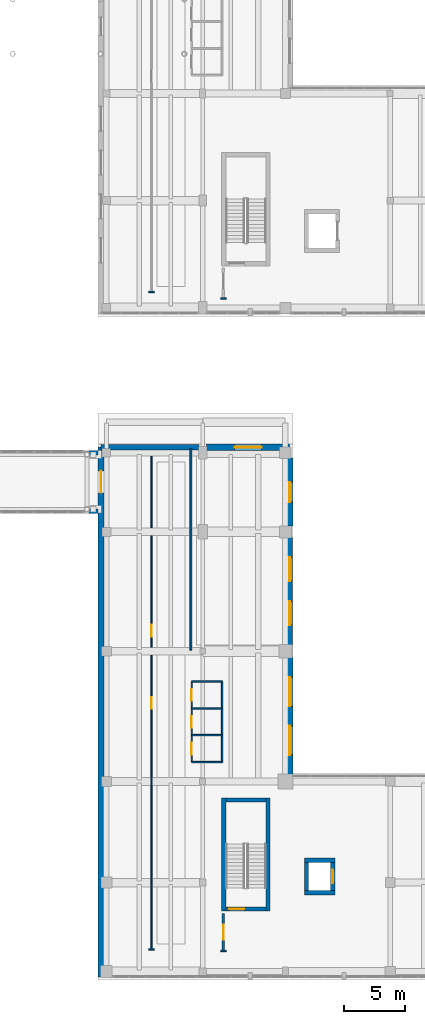
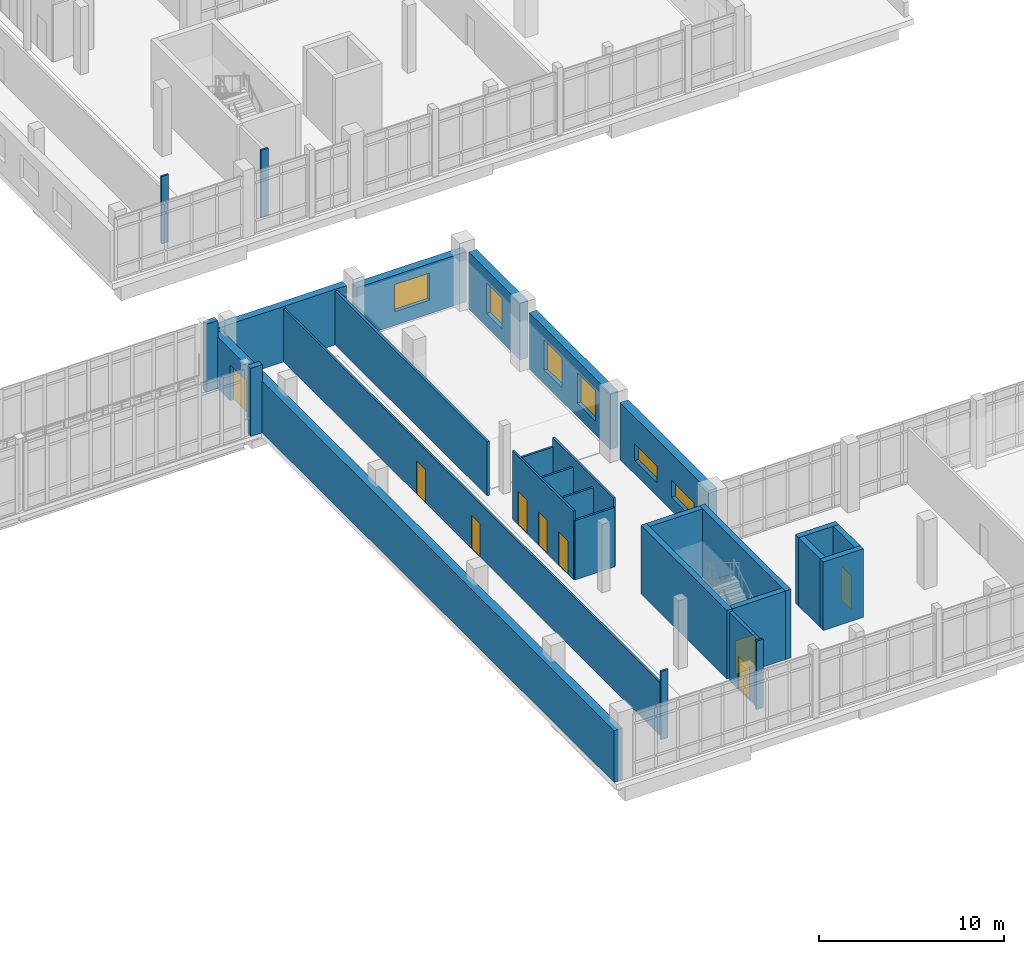
# One storey, part 65 of 89: 29 walls, 9 doors, 6 windows, 15 openings.
"""IFC4 building model written with IfcOpenShell, lengths in metres."""

from ifc_helpers import new_model, si_unit, direction, frame, frame_2d, origin, place, context, subcontext, project, spatial, rectangle, extrude, material, layer, layer_set, type_object, element, fill, save


model = new_model("IFC4")

# Units and contexts
model_context = context("Model", 3, precision=1e-05, world=origin(), true_north=direction((0.0, 1.0)))
body_context = subcontext(model_context, "Body", "Model", "MODEL_VIEW")
ifc_project = project(units=[si_unit("LENGTHUNIT", "METRE"), si_unit("AREAUNIT", "SQUARE_METRE"), si_unit("VOLUMEUNIT", "CUBIC_METRE"), si_unit("PLANEANGLEUNIT", "RADIAN"), si_unit("MASSUNIT", "GRAM", prefix="KILO")], contexts=[model_context])

# Site, building, storey
site_placement = place(None, origin())
site = spatial("IfcSite", under=ifc_project, at=site_placement, CompositionType="ELEMENT")
building_placement = place(site_placement, origin())
building = spatial("IfcBuilding", under=site, at=building_placement, Name="Soyqirgoq Riverine Aquarium", CompositionType="ELEMENT")
storey_placement = place(building_placement, frame((0.0, 0.0, 5.39990234375)))
storey = spatial("IfcBuildingStorey", under=building, at=storey_placement, Name="L02", CompositionType="ELEMENT", Elevation=5.39990234375)

# Walls
ifc_material_1 = material(Name="Insulated composite rainscreen panel", Category="steel")
ifc_layer_1 = layer(ifc_material_1, 0.360107421875)
ifc_layer_set_1 = layer_set([ifc_layer_1], Name="Insulated composite rainscreen panel")
wall_type_1 = type_object("IfcWallType", Name="BridgeSpandrelWall_360", PredefinedType="SOLIDWALL", material=ifc_layer_set_1)
for number, where, z_axis, x_axis, name in (
    (1, (113.280029296875, 40.0, 0.0), (0.0, 0.0, 1.0), (1.0, 0.0, 0.0), "BR-1 L02 Exterior Travertine Wall 0401"),
    (2, (113.280029296875, 44.800048828125, 0.0), (0.0, 0.0, 1.0), (1.0, 0.0, 0.0), "BR-1 L02 Exterior Travertine Wall 0403"),
):
    element("IfcWall", number, at=place(storey_placement, frame(where, z_axis=z_axis, x_axis=x_axis)), inside=storey, type_object=wall_type_1, Name=name, PredefinedType="SOLIDWALL", context=body_context, shape_type="SweptSolid", body=[
        extrude(rectangle(XDim=0.719970703125, YDim=0.360107421875, at=frame_2d((0.35986328125, 0.0))), origin(), (0.0, 0.0, 1.0), 4.5),
    ])
ifc_material_2 = material(Name="Concrete C40/50", Category="concrete")
ifc_layer_2 = layer(ifc_material_2, 0.35009765625)
ifc_layer_set_2 = layer_set([ifc_layer_2], Name="Concrete C40/50")
wall_type_2 = type_object("IfcWallType", Name="CoreShearWall_350_C40", PredefinedType="SHEAR", material=ifc_layer_set_2)
wall_1_placement = place(storey_placement, frame((127.97509765625, 7.14990234375, 0.0), z_axis=(0.0, 0.0, 1.0), x_axis=(0.0, 1.0, 0.0)))
element("IfcWall", 3, at=wall_1_placement, inside=storey, type_object=wall_type_2, Name="CORE-6 L02 Stair Core Shear Wall SIDE1", PredefinedType="SHEAR", context=body_context, shape_type="SweptSolid", body=[
    extrude(rectangle(XDim=9.300048828125, YDim=0.35009765625, at=frame_2d((4.64990234375, 0.0))), origin(), (0.0, 0.0, 1.0), 4.52001953125),
])
wall_2_placement = place(storey_placement, frame((127.800048828125, 16.27490234375, 0.0), z_axis=(0.0, 0.0, 1.0), x_axis=(-1.0, 0.0, 0.0)))
element("IfcWall", 4, at=wall_2_placement, inside=storey, type_object=wall_type_2, Name="CORE-6 L02 Stair Core Shear Wall BACK", PredefinedType="SHEAR", context=body_context, shape_type="SweptSolid", body=[
    extrude(rectangle(XDim=3.300048828125, YDim=0.35009765625, at=frame_2d((1.64990234375, 0.0))), origin(), (0.0, 0.0, 1.0), 4.52001953125),
])
wall_3_placement = place(storey_placement, frame((124.324951171875, 16.449951171875, 0.0), z_axis=(0.0, 0.0, 1.0), x_axis=(0.0, -1.0, 0.0)))
element("IfcWall", 5, at=wall_3_placement, inside=storey, type_object=wall_type_2, Name="CORE-6 L02 Stair Core Shear Wall SIDE2", PredefinedType="SHEAR", context=body_context, shape_type="SweptSolid", body=[
    extrude(rectangle(XDim=9.300048828125, YDim=0.35009765625, at=frame_2d((4.64990234375, 0.0))), origin(), (0.0, 0.0, 1.0), 4.52001953125),
])

# Wall, opening, door
wall_4_placement = place(storey_placement, frame((124.5, 7.324951171875, 0.0), z_axis=(0.0, 0.0, 1.0), x_axis=(1.0, 0.0, 0.0)))
wall_4 = element("IfcWall", 6, at=wall_4_placement, inside=storey, type_object=wall_type_2, Name="CORE-6 L02 Stair Core Shear Wall FRONT", PredefinedType="SHEAR", context=body_context, shape_type="SweptSolid", body=[
    extrude(rectangle(XDim=3.300048828125, YDim=0.35009765625, at=frame_2d((1.64990234375, 0.0))), origin(), (0.0, 0.0, 1.0), 4.52001953125),
])
opening_1_placement = place(wall_4_placement, frame((0.280029296875, 0.0, 0.0)))
opening_1 = element("IfcOpeningElement", 7, at=opening_1_placement, cuts=wall_4, Name="Opening FD-01", PredefinedType="OPENING", context=body_context, shape_type="SweptSolid", body=[
    extrude(rectangle(XDim=1.25, YDim=2.199951171875, at=frame_2d((0.625, 1.10009765625))), frame((0.0, 0.18505859375, 0.0), z_axis=(0.0, -1.0, 0.0), x_axis=(1.0, 0.0, 0.0)), (0.0, 0.0, 1.0), 0.3701171875),
])
ifc_material_3 = material(Name="Galvanised steel fire-resisting stair door", Category="steel")
door_type_1 = type_object("IfcDoorType", Name="StairFireDoor_1250x2200_EI90", OperationType="NOTDEFINED", PredefinedType="DOOR", material=ifc_material_3)
door_1_placement = place(opening_1_placement, origin())
door_1 = element("IfcDoor", 8, at=door_1_placement, inside=storey, type_object=door_type_1, Name="DR-ST-7-L02 ST-7 L02 Fire-Rated Stairwell Door", OperationType="SINGLE_SWING_LEFT", OverallHeight=2.199951171875, OverallWidth=1.25, PredefinedType="DOOR", context=body_context, shape_type="SweptSolid", body=[
    extrude(rectangle(XDim=1.25, YDim=2.199951171875, at=frame_2d((0.625, 1.10009765625))), frame((0.0, 0.02490234375, 0.0), z_axis=(0.0, -1.0, 0.0), x_axis=(1.0, 0.0, 0.0)), (0.0, 0.0, 1.0), 0.050048828125),
])
fill(opening_1, door_1)

# Wall
wall_5_placement = place(storey_placement, frame((130.945068359375, 8.669921875, 0.0), z_axis=(0.0, 0.0, 1.0), x_axis=(1.0, 0.0, 0.0)))
element("IfcWall", 9, at=wall_5_placement, inside=storey, type_object=wall_type_2, Name="Lift PL-4 Shaft Wall L02 1", PredefinedType="SHEAR", context=body_context, shape_type="SweptSolid", body=[
    extrude(rectangle(XDim=2.510009765625, YDim=0.35009765625, at=frame_2d((1.2548828125, 0.0))), origin(), (0.0, 0.0, 1.0), 4.52001953125),
])

# Wall, opening, door
wall_6_placement = place(storey_placement, frame((133.280029296875, 8.844970703125, 0.0), z_axis=(0.0, 0.0, 1.0), x_axis=(0.0, 1.0, 0.0)))
wall_6 = element("IfcWall", 10, at=wall_6_placement, inside=storey, type_object=wall_type_2, Name="Lift PL-4 Shaft Wall L02 2", PredefinedType="SHEAR", context=body_context, shape_type="SweptSolid", body=[
    extrude(rectangle(XDim=2.31005859375, YDim=0.35009765625, at=frame_2d((1.155029296875, 0.0))), origin(), (0.0, 0.0, 1.0), 4.52001953125),
])
opening_2_placement = place(wall_6_placement, frame((0.60498046875, 0.0, 0.0)))
opening_2 = element("IfcOpeningElement", 11, at=opening_2_placement, cuts=wall_6, Name="Opening LD-01", PredefinedType="OPENING", context=body_context, shape_type="SweptSolid", body=[
    extrude(rectangle(XDim=1.10009765625, YDim=2.199951171875, at=frame_2d((0.550048828125, 1.10009765625))), frame((0.0, 0.18505859375, 0.0), z_axis=(0.0, -1.0, 0.0), x_axis=(1.0, 0.0, 0.0)), (0.0, 0.0, 1.0), 0.3701171875),
])
ifc_material_4 = material(Name="Brushed stainless steel telescopic lift landing door", Category="steel")
door_type_2 = type_object("IfcDoorType", Name="LiftLandingDoor_1100x2200", OperationType="SLIDING_TO_LEFT", PredefinedType="DOOR", material=ifc_material_4)
door_2_placement = place(opening_2_placement, origin())
door_2 = element("IfcDoor", 12, at=door_2_placement, inside=storey, type_object=door_type_2, Name="LD-PL-4-L02 Lift PL-4 L02 Sliding Landing Door", OperationType="SLIDING_TO_LEFT", OverallHeight=2.199951171875, OverallWidth=1.10009765625, PredefinedType="DOOR", context=body_context, shape_type="SweptSolid", body=[
    extrude(rectangle(XDim=1.10009765625, YDim=2.199951171875, at=frame_2d((0.550048828125, 1.10009765625))), frame((0.0, 0.02490234375, 0.0), z_axis=(0.0, -1.0, 0.0), x_axis=(1.0, 0.0, 0.0)), (0.0, 0.0, 1.0), 0.050048828125),
])
fill(opening_2, door_2)

# Walls
wall_7_placement = place(storey_placement, frame((133.455078125, 11.330078125, 0.0), z_axis=(0.0, 0.0, 1.0), x_axis=(-1.0, 0.0, 0.0)))
element("IfcWall", 13, at=wall_7_placement, inside=storey, type_object=wall_type_2, Name="Lift PL-4 Shaft Wall L02 3", PredefinedType="SHEAR", context=body_context, shape_type="SweptSolid", body=[
    extrude(rectangle(XDim=2.510009765625, YDim=0.35009765625, at=frame_2d((1.2548828125, 0.0))), origin(), (0.0, 0.0, 1.0), 4.52001953125),
])
wall_8_placement = place(storey_placement, frame((131.1201171875, 11.155029296875, 0.0), z_axis=(0.0, 0.0, 1.0), x_axis=(0.0, -1.0, 0.0)))
element("IfcWall", 14, at=wall_8_placement, inside=storey, type_object=wall_type_2, Name="Lift PL-4 Shaft Wall L02 4", PredefinedType="SHEAR", context=body_context, shape_type="SweptSolid", body=[
    extrude(rectangle(XDim=2.31005859375, YDim=0.35009765625, at=frame_2d((1.155029296875, 0.0))), origin(), (0.0, 0.0, 1.0), 4.52001953125),
])

# Wall, openings, doors
ifc_material_5 = material(Name="Lightweight steel-stud gypsum partition", Category="steel")
ifc_layer_3 = layer(ifc_material_5, 0.1201171875)
ifc_layer_set_3 = layer_set([ifc_layer_3], Name="Lightweight steel-stud gypsum partition")
wall_type_3 = type_object("IfcWallType", Name="PartitionWall_120_Std", PredefinedType="PARTITIONING", material=ifc_layer_set_3)
wall_9_placement = place(storey_placement, frame((118.39990234375, 45.1298828125, 0.0), z_axis=(0.0, 0.0, 1.0), x_axis=(0.0, -1.0, 0.0)))
wall_9 = element("IfcWall", 15, at=wall_9_placement, inside=storey, type_object=wall_type_3, Name="Education Gallery Corridor Partition Wall", PredefinedType="PARTITIONING", context=body_context, shape_type="SweptSolid", body=[
    extrude(rectangle(XDim=41.1298828125, YDim=0.1201171875, at=frame_2d((20.56494140625, 0.0))), origin(), (0.0, 0.0, 1.0), 3.510009765625),
])
opening_3_placement = place(wall_9_placement, frame((20.405029296875, 0.0, 0.0)))
opening_3 = element("IfcOpeningElement", 16, at=opening_3_placement, cuts=wall_9, Name="Opening ID-06", PredefinedType="OPENING", context=body_context, shape_type="SweptSolid", body=[
    extrude(rectangle(XDim=0.949951171875, YDim=2.199951171875, at=frame_2d((0.47509765625, 1.10009765625))), frame((0.0, 0.070068359375, 0.0), z_axis=(0.0, -1.0, 0.0), x_axis=(1.0, 0.0, 0.0)), (0.0, 0.0, 1.0), 0.14013671875),
])
opening_4_placement = place(wall_9_placement, frame((14.472412109375, 0.0, 0.0)))
opening_4 = element("IfcOpeningElement", 17, at=opening_4_placement, cuts=wall_9, Name="Opening ID-06", PredefinedType="OPENING", context=body_context, shape_type="SweptSolid", body=[
    extrude(rectangle(XDim=0.949951171875, YDim=2.199951171875, at=frame_2d((0.47509765625, 1.10009765625))), frame((0.0, 0.070068359375, 0.0), z_axis=(0.0, -1.0, 0.0), x_axis=(1.0, 0.0, 0.0)), (0.0, 0.0, 1.0), 0.14013671875),
])
ifc_material_6 = material(Name="Moisture-resistant HPL washroom door", Category="wood")
door_type_3 = type_object("IfcDoorType", Name="WCDoor_950x2200", OperationType="NOTDEFINED", PredefinedType="DOOR", material=ifc_material_6)
door_3_placement = place(opening_3_placement, origin())
door_3 = element("IfcDoor", 18, at=door_3_placement, inside=storey, type_object=door_type_3, Name="IDR-V6-L02-0192 Education Gallery Corridor Access Door", OperationType="SINGLE_SWING_LEFT", OverallHeight=2.199951171875, OverallWidth=0.949951171875, PredefinedType="DOOR", context=body_context, shape_type="SweptSolid", body=[
    extrude(rectangle(XDim=0.949951171875, YDim=2.199951171875, at=frame_2d((0.47509765625, 1.10009765625))), frame((0.0, 0.02490234375, 0.0), z_axis=(0.0, -1.0, 0.0), x_axis=(1.0, 0.0, 0.0)), (0.0, 0.0, 1.0), 0.050048828125),
])
fill(opening_3, door_3)
door_4_placement = place(opening_4_placement, origin())
door_4 = element("IfcDoor", 19, at=door_4_placement, inside=storey, type_object=door_type_3, Name="IDR-V6-L02-0194 Education Centre Classroom Access Door", OperationType="SINGLE_SWING_LEFT", OverallHeight=2.199951171875, OverallWidth=0.949951171875, PredefinedType="DOOR", context=body_context, shape_type="SweptSolid", body=[
    extrude(rectangle(XDim=0.949951171875, YDim=2.199951171875, at=frame_2d((0.47509765625, 1.10009765625))), frame((0.0, 0.02490234375, 0.0), z_axis=(0.0, -1.0, 0.0), x_axis=(1.0, 0.0, 0.0)), (0.0, 0.0, 1.0), 0.050048828125),
])
fill(opening_4, door_4)

# Walls
wall_10_placement = place(storey_placement, frame((124.080078125, 3.89990234375, 0.0), z_axis=(0.0, 0.0, 1.0), x_axis=(1.0, 0.0, 0.0)))
element("IfcWall", 20, at=wall_10_placement, inside=storey, type_object=wall_type_3, Name="V6 L02 Jamb Return Pier", PredefinedType="PARTITIONING", context=body_context, shape_type="SweptSolid", body=[
    extrude(rectangle(XDim=0.43994140625, YDim=0.1201171875, at=frame_2d((0.219970703125, 0.0))), origin(), (0.0, 0.0, 1.0), 4.52001953125),
])
wall_11_placement = place(storey_placement, frame((118.179931640625, 4.0, 0.0), z_axis=(0.0, 0.0, 1.0), x_axis=(1.0, 0.0, 0.0)))
element("IfcWall", 21, at=wall_11_placement, inside=storey, type_object=wall_type_3, Name="V6 L02 Jamb Return Pier", PredefinedType="PARTITIONING", context=body_context, shape_type="SweptSolid", body=[
    extrude(rectangle(XDim=0.440185546875, YDim=0.1201171875, at=frame_2d((0.22021484375, 0.0))), origin(), (0.0, 0.0, 1.0), 4.52001953125),
])
wall_12_placement = place(storey_placement, frame((124.080078125, 57.449951171875, 0.0), z_axis=(0.0, 0.0, 1.0), x_axis=(1.0, 0.0, 0.0)))
element("IfcWall", 22, at=wall_12_placement, inside=storey, type_object=wall_type_3, Name="V7 L02 Jamb Return Pier", PredefinedType="PARTITIONING", context=body_context, shape_type="SweptSolid", body=[
    extrude(rectangle(XDim=0.43994140625, YDim=0.1201171875, at=frame_2d((0.219970703125, 0.0))), origin(), (0.0, 0.0, 1.0), 4.4501953125),
])
wall_13_placement = place(storey_placement, frame((118.179931640625, 58.0, 0.0), z_axis=(0.0, 0.0, 1.0), x_axis=(1.0, 0.0, 0.0)))
element("IfcWall", 23, at=wall_13_placement, inside=storey, type_object=wall_type_3, Name="V7 L02 Jamb Return Pier", PredefinedType="PARTITIONING", context=body_context, shape_type="SweptSolid", body=[
    extrude(rectangle(XDim=0.440185546875, YDim=0.1201171875, at=frame_2d((0.22021484375, 0.0))), origin(), (0.0, 0.0, 1.0), 4.4501953125),
])

# Wall, openings, doors
ifc_material_7 = material(Name="Moisture-resistant cement-board wet-room partition", Category="gypsum")
ifc_layer_4 = layer(ifc_material_7, 0.125)
ifc_layer_set_4 = layer_set([ifc_layer_4], Name="Moisture-resistant cement-board wet-room partition")
wall_type_4 = type_object("IfcWallType", Name="PartitionWall_125_Wet", PredefinedType="PARTITIONING", material=ifc_layer_set_4)
wall_14_placement = place(storey_placement, frame((121.699951171875, 19.39990234375, 0.0), z_axis=(0.0, 0.0, 1.0), x_axis=(0.0, 1.0, 0.0)))
wall_14 = element("IfcWall", 24, at=wall_14_placement, inside=storey, type_object=wall_type_4, Name="V6 L02 WC Suite Front Wall", PredefinedType="PARTITIONING", context=body_context, shape_type="SweptSolid", body=[
    extrude(rectangle(XDim=6.60009765625, YDim=0.125, at=frame_2d((3.300048828125, 0.0))), origin(), (0.0, 0.0, 1.0), 4.52001953125),
])
opening_5_placement = place(wall_14_placement, frame((0.60009765625, 0.0, 0.0)))
opening_5 = element("IfcOpeningElement", 25, at=opening_5_placement, cuts=wall_14, Name="Opening ID-05", PredefinedType="OPENING", context=body_context, shape_type="SweptSolid", body=[
    extrude(rectangle(XDim=1.0, YDim=2.199951171875, at=frame_2d((0.5, 1.10009765625))), frame((0.0, 0.072509765625, 0.0), z_axis=(0.0, -1.0, 0.0), x_axis=(1.0, 0.0, 0.0)), (0.0, 0.0, 1.0), 0.14501953125),
])
opening_6_placement = place(wall_14_placement, frame((2.824951171875, 0.0, 0.0)))
opening_6 = element("IfcOpeningElement", 26, at=opening_6_placement, cuts=wall_14, Name="Opening ID-06", PredefinedType="OPENING", context=body_context, shape_type="SweptSolid", body=[
    extrude(rectangle(XDim=0.949951171875, YDim=2.199951171875, at=frame_2d((0.47509765625, 1.10009765625))), frame((0.0, 0.072509765625, 0.0), z_axis=(0.0, -1.0, 0.0), x_axis=(1.0, 0.0, 0.0)), (0.0, 0.0, 1.0), 0.14501953125),
])
opening_7_placement = place(wall_14_placement, frame((5.02490234375, 0.0, 0.0)))
opening_7 = element("IfcOpeningElement", 27, at=opening_7_placement, cuts=wall_14, Name="Opening ID-06", PredefinedType="OPENING", context=body_context, shape_type="SweptSolid", body=[
    extrude(rectangle(XDim=0.949951171875, YDim=2.199951171875, at=frame_2d((0.47509765625, 1.10009765625))), frame((0.0, 0.072509765625, 0.0), z_axis=(0.0, -1.0, 0.0), x_axis=(1.0, 0.0, 0.0)), (0.0, 0.0, 1.0), 0.14501953125),
])
ifc_material_8 = material(Name="Moisture-resistant HPL accessible washroom door", Category="wood")
door_type_4 = type_object("IfcDoorType", Name="AccessibleWCDoor_1000x2200", OperationType="NOTDEFINED", PredefinedType="DOOR", material=ifc_material_8)
door_5_placement = place(opening_5_placement, origin())
door_5 = element("IfcDoor", 28, at=door_5_placement, inside=storey, type_object=door_type_4, Name="IDR-V6-L02-0188 Accessible WC Door", OperationType="SINGLE_SWING_RIGHT", OverallHeight=2.199951171875, OverallWidth=1.0, PredefinedType="DOOR", context=body_context, shape_type="SweptSolid", body=[
    extrude(rectangle(XDim=1.0, YDim=2.199951171875, at=frame_2d((0.5, 1.10009765625))), frame((0.0, 0.02490234375, 0.0), z_axis=(0.0, -1.0, 0.0), x_axis=(1.0, 0.0, 0.0)), (0.0, 0.0, 1.0), 0.050048828125),
])
fill(opening_5, door_5)
door_6_placement = place(opening_6_placement, origin())
door_6 = element("IfcDoor", 29, at=door_6_placement, inside=storey, type_object=door_type_3, Name="IDR-V6-L02-0189 Public Female WC Door", OperationType="SINGLE_SWING_LEFT", OverallHeight=2.199951171875, OverallWidth=0.949951171875, PredefinedType="DOOR", context=body_context, shape_type="SweptSolid", body=[
    extrude(rectangle(XDim=0.949951171875, YDim=2.199951171875, at=frame_2d((0.47509765625, 1.10009765625))), frame((0.0, 0.02490234375, 0.0), z_axis=(0.0, -1.0, 0.0), x_axis=(1.0, 0.0, 0.0)), (0.0, 0.0, 1.0), 0.050048828125),
])
fill(opening_6, door_6)
door_7_placement = place(opening_7_placement, origin())
door_7 = element("IfcDoor", 30, at=door_7_placement, inside=storey, type_object=door_type_3, Name="IDR-V6-L02-0190 Public Male WC Door", OperationType="SINGLE_SWING_RIGHT", OverallHeight=2.199951171875, OverallWidth=0.949951171875, PredefinedType="DOOR", context=body_context, shape_type="SweptSolid", body=[
    extrude(rectangle(XDim=0.949951171875, YDim=2.199951171875, at=frame_2d((0.47509765625, 1.10009765625))), frame((0.0, 0.02490234375, 0.0), z_axis=(0.0, -1.0, 0.0), x_axis=(1.0, 0.0, 0.0)), (0.0, 0.0, 1.0), 0.050048828125),
])
fill(opening_7, door_7)

# Walls
wall_15_placement = place(storey_placement, frame((124.199951171875, 19.39990234375, 0.0), z_axis=(0.0, 0.0, 1.0), x_axis=(0.0, 1.0, 0.0)))
element("IfcWall", 31, at=wall_15_placement, inside=storey, type_object=wall_type_4, Name="V6 L02 WC Suite Back Wall", PredefinedType="PARTITIONING", context=body_context, shape_type="SweptSolid", body=[
    extrude(rectangle(XDim=6.60009765625, YDim=0.125, at=frame_2d((3.300048828125, 0.0))), origin(), (0.0, 0.0, 1.0), 4.52001953125),
])
for number, where, z_axis, x_axis, name in (
    (32, (121.699951171875, 19.39990234375, 0.0), (0.0, 0.0, 1.0), (1.0, 0.0, 0.0), "V6 L02 WC Suite South Wall"),
    (33, (121.699951171875, 26.0, 0.0), (0.0, 0.0, 1.0), (1.0, 0.0, 0.0), "V6 L02 WC Suite North Wall"),
    (34, (121.699951171875, 21.60009765625, 0.0), (0.0, 0.0, 1.0), (1.0, 0.0, 0.0), "V6 L02 WC Cubicle Divider 1"),
    (35, (121.699951171875, 23.800048828125, 0.0), (0.0, 0.0, 1.0), (1.0, 0.0, 0.0), "V6 L02 WC Cubicle Divider 2"),
):
    element("IfcWall", number, at=place(storey_placement, frame(where, z_axis=z_axis, x_axis=x_axis)), inside=storey, type_object=wall_type_4, Name=name, PredefinedType="PARTITIONING", context=body_context, shape_type="SweptSolid", body=[
        extrude(rectangle(XDim=2.5, YDim=0.125, at=frame_2d((1.25, 0.0))), origin(), (0.0, 0.0, 1.0), 3.920166015625),
    ])
ifc_material_9 = material(Name="Fire-rated acoustic gypsum stud partition", Category="gypsum")
ifc_layer_5 = layer(ifc_material_9, 0.159912109375)
ifc_layer_set_5 = layer_set([ifc_layer_5], Name="Fire-rated acoustic gypsum stud partition")
wall_type_5 = type_object("IfcWallType", Name="PartitionWall_160_EI60", PredefinedType="PARTITIONING", material=ifc_layer_set_5)
wall_16_placement = place(storey_placement, frame((121.6298828125, 45.1298828125, 0.0), z_axis=(0.0, 0.0, 1.0), x_axis=(0.0, -1.0, 0.0)))
element("IfcWall", 36, at=wall_16_placement, inside=storey, type_object=wall_type_5, Name="Education Centre Classroom Partition Wall", PredefinedType="PARTITIONING", context=body_context, shape_type="SweptSolid", body=[
    extrude(rectangle(XDim=16.5498046875, YDim=0.159912109375, at=frame_2d((8.27490234375, 0.0))), origin(), (0.0, 0.0, 1.0), 3.56005859375),
])

# Wall, opening, door
ifc_material_10 = material(Name="Fire-rated calcium silicate twin-stud partition", Category="gypsum")
ifc_layer_6 = layer(ifc_material_10, 0.199951171875)
ifc_layer_set_6 = layer_set([ifc_layer_6], Name="Fire-rated calcium silicate twin-stud partition")
wall_type_6 = type_object("IfcWallType", Name="PartitionWall_200_EI90", PredefinedType="PARTITIONING", material=ifc_layer_set_6)
wall_17_placement = place(storey_placement, frame((124.300048828125, 6.949951171875, 0.0), z_axis=(0.0, 0.0, 1.0), x_axis=(0.0, -1.0, 0.0)))
wall_17 = element("IfcWall", 37, at=wall_17_placement, inside=storey, type_object=wall_type_6, Name="Lift and Stair Lobby ST-7 Fire Enclosure Wall", PredefinedType="PARTITIONING", context=body_context, shape_type="SweptSolid", body=[
    extrude(rectangle(XDim=3.050048828125, YDim=0.199951171875, at=frame_2d((1.52490234375, 0.0))), origin(), (0.0, 0.0, 1.0), 4.52001953125),
])
opening_8_placement = place(wall_17_placement, frame((0.89990234375, 0.0, 0.0)))
opening_8 = element("IfcOpeningElement", 38, at=opening_8_placement, cuts=wall_17, Name="Opening FD-01", PredefinedType="OPENING", context=body_context, shape_type="SweptSolid", body=[
    extrude(rectangle(XDim=1.25, YDim=2.199951171875, at=frame_2d((0.625, 1.10009765625))), frame((0.0, 0.10986328125, 0.0), z_axis=(0.0, -1.0, 0.0), x_axis=(1.0, 0.0, 0.0)), (0.0, 0.0, 1.0), 0.219970703125),
])
door_8_placement = place(opening_8_placement, origin())
door_8 = element("IfcDoor", 39, at=door_8_placement, inside=storey, type_object=door_type_1, Name="IDR-V6-L02-0191 Lift and Stair Lobby ST-7 Egress Fire Door", OperationType="SINGLE_SWING_LEFT", OverallHeight=2.199951171875, OverallWidth=1.25, PredefinedType="DOOR", context=body_context, shape_type="SweptSolid", body=[
    extrude(rectangle(XDim=1.25, YDim=2.199951171875, at=frame_2d((0.625, 1.10009765625))), frame((0.0, 0.02490234375, 0.0), z_axis=(0.0, -1.0, 0.0), x_axis=(1.0, 0.0, 0.0)), (0.0, 0.0, 1.0), 0.050048828125),
])
fill(opening_8, door_8)

# Wall
ifc_material_11 = material(Name="Honed travertine limestone cavity wall", Category="masonry")
ifc_layer_7 = layer(ifc_material_11, 0.449951171875)
ifc_layer_set_7 = layer_set([ifc_layer_7], Name="Honed travertine limestone cavity wall")
wall_type_7 = type_object("IfcWallType", Name="TravertineCavityWall_450", PredefinedType="SOLIDWALL", material=ifc_layer_set_7)
wall_18_placement = place(storey_placement, frame((114.25, 45.25, 0.0), z_axis=(0.0, 0.0, 1.0), x_axis=(1.0, 0.0, 0.0)))
element("IfcWall", 40, at=wall_18_placement, inside=storey, type_object=wall_type_7, Name="V6 L02 Exterior Travertine Wall 0351", PredefinedType="SOLIDWALL", context=body_context, shape_type="SweptSolid", body=[
    extrude(rectangle(XDim=8.030029296875, YDim=0.449951171875, at=frame_2d((4.01513671875, 0.0))), origin(), (0.0, 0.0, 1.0), 3.66015625),
])

# Wall, openings, windows
ifc_material_12 = material(Name="Honed travertine limestone cavity wall", Category="masonry")
ifc_layer_8 = layer(ifc_material_12, 0.47998046875)
ifc_layer_set_8 = layer_set([ifc_layer_8], Name="Honed travertine limestone cavity wall")
wall_type_8 = type_object("IfcWallType", Name="TravertineCavityWall_480", PredefinedType="SOLIDWALL", material=ifc_layer_set_8)
wall_19_placement = place(storey_placement, frame((129.75, 37.830078125, 0.0), z_axis=(0.0, 0.0, 1.0), x_axis=(0.0, -1.0, 0.0)))
wall_19 = element("IfcWall", 41, at=wall_19_placement, inside=storey, type_object=wall_type_8, Name="V6 L02 Exterior Travertine Wall 0354", PredefinedType="SOLIDWALL", context=body_context, shape_type="SweptSolid", body=[
    extrude(rectangle(XDim=8.81005859375, YDim=0.47998046875, at=frame_2d((4.405029296875, 0.0))), origin(), (0.0, 0.0, 1.0), 3.710205078125),
])
opening_9_placement = place(wall_19_placement, frame((1.6298828125, 0.0, 0.89990234375)))
opening_9 = element("IfcOpeningElement", 42, at=opening_9_placement, cuts=wall_19, Name="Opening WN-14", PredefinedType="OPENING", context=body_context, shape_type="SweptSolid", body=[
    extrude(rectangle(XDim=1.949951171875, YDim=2.0, at=frame_2d((0.97509765625, 1.0))), frame((0.0, 0.25, 0.0), z_axis=(0.0, -1.0, 0.0), x_axis=(1.0, 0.0, 0.0)), (0.0, 0.0, 1.0), 0.5),
])
opening_10_placement = place(wall_19_placement, frame((5.22998046875, 0.0, 0.89990234375)))
opening_10 = element("IfcOpeningElement", 43, at=opening_10_placement, cuts=wall_19, Name="Opening WN-14", PredefinedType="OPENING", context=body_context, shape_type="SweptSolid", body=[
    extrude(rectangle(XDim=1.949951171875, YDim=2.0, at=frame_2d((0.97509765625, 1.0))), frame((0.0, 0.25, 0.0), z_axis=(0.0, -1.0, 0.0), x_axis=(1.0, 0.0, 0.0)), (0.0, 0.0, 1.0), 0.5),
])
ifc_material_13 = material(Name="Thermally broken aluminium triple low-E window", Category="aluminium")
window_type_1 = type_object("IfcWindowType", Name="Win_Gallery_1950x2000", PartitioningType="DOUBLE_PANEL_VERTICAL", PredefinedType="WINDOW", material=ifc_material_13)
window_1_placement = place(opening_9_placement, origin())
window_1 = element("IfcWindow", 44, at=window_1_placement, inside=storey, type_object=window_type_1, Name="V6 L02 Facade Window 0286", OverallHeight=2.0, OverallWidth=1.949951171875, PartitioningType="DOUBLE_PANEL_VERTICAL", PredefinedType="WINDOW", context=body_context, shape_type="SweptSolid", body=[
    extrude(rectangle(XDim=1.949951171875, YDim=2.0, at=frame_2d((0.97509765625, 1.0))), frame((0.0, 0.030029296875, 0.0), z_axis=(0.0, -1.0, 0.0), x_axis=(1.0, 0.0, 0.0)), (0.0, 0.0, 1.0), 0.06005859375),
])
fill(opening_9, window_1)
window_2_placement = place(opening_10_placement, origin())
window_2 = element("IfcWindow", 45, at=window_2_placement, inside=storey, type_object=window_type_1, Name="V6 L02 Facade Window 0287", OverallHeight=2.0, OverallWidth=1.949951171875, PartitioningType="DOUBLE_PANEL_VERTICAL", PredefinedType="WINDOW", context=body_context, shape_type="SweptSolid", body=[
    extrude(rectangle(XDim=1.949951171875, YDim=2.0, at=frame_2d((0.97509765625, 1.0))), frame((0.0, 0.030029296875, 0.0), z_axis=(0.0, -1.0, 0.0), x_axis=(1.0, 0.0, 0.0)), (0.0, 0.0, 1.0), 0.06005859375),
])
fill(opening_10, window_2)

# Wall, opening, window
ifc_material_14 = material(Name="Honed travertine limestone cavity wall", Category="masonry")
ifc_layer_9 = layer(ifc_material_14, 0.5)
ifc_layer_set_9 = layer_set([ifc_layer_9], Name="Honed travertine limestone cavity wall")
wall_type_9 = type_object("IfcWallType", Name="TravertineCavityWall_500", PredefinedType="SOLIDWALL", material=ifc_layer_set_9)
wall_20_placement = place(storey_placement, frame((122.919921875, 45.25, 0.0), z_axis=(0.0, 0.0, 1.0), x_axis=(1.0, 0.0, 0.0)))
wall_20 = element("IfcWall", 46, at=wall_20_placement, inside=storey, type_object=wall_type_9, Name="V6 L02 Exterior Travertine Wall 0352", PredefinedType="SOLIDWALL", context=body_context, shape_type="SweptSolid", body=[
    extrude(rectangle(XDim=6.830078125, YDim=0.5, at=frame_2d((3.4150390625, 0.0))), origin(), (0.0, 0.0, 1.0), 3.31005859375),
])
opening_11_placement = place(wall_20_placement, frame((2.31494140625, 0.0, 0.89990234375)))
opening_11 = element("IfcOpeningElement", 47, at=opening_11_placement, cuts=wall_20, Name="Opening WN-09", PredefinedType="OPENING", context=body_context, shape_type="SweptSolid", body=[
    extrude(rectangle(XDim=2.199951171875, YDim=1.800048828125, at=frame_2d((1.10009765625, 0.89990234375))), frame((0.0, 0.260009765625, 0.0), z_axis=(0.0, -1.0, 0.0), x_axis=(1.0, 0.0, 0.0)), (0.0, 0.0, 1.0), 0.52001953125),
])
ifc_material_15 = material(Name="Thermally broken aluminium triple low-E window", Category="aluminium")
window_type_2 = type_object("IfcWindowType", Name="Win_Office_2200x1800", PartitioningType="TRIPLE_PANEL_VERTICAL", PredefinedType="WINDOW", material=ifc_material_15)
window_3_placement = place(opening_11_placement, origin())
window_3 = element("IfcWindow", 48, at=window_3_placement, inside=storey, type_object=window_type_2, Name="V6 L02 Facade Window 0284", OverallHeight=1.800048828125, OverallWidth=2.199951171875, PartitioningType="TRIPLE_PANEL_VERTICAL", PredefinedType="WINDOW", context=body_context, shape_type="SweptSolid", body=[
    extrude(rectangle(XDim=2.199951171875, YDim=1.800048828125, at=frame_2d((1.10009765625, 0.89990234375))), frame((0.0, 0.030029296875, 0.0), z_axis=(0.0, -1.0, 0.0), x_axis=(1.0, 0.0, 0.0)), (0.0, 0.0, 1.0), 0.06005859375),
])
fill(opening_11, window_3)

wall_21_placement = place(storey_placement, frame((129.75, 44.35498046875, 0.0), z_axis=(0.0, 0.0, 1.0), x_axis=(0.0, -1.0, 0.0)))
wall_21 = element("IfcWall", 49, at=wall_21_placement, inside=storey, type_object=wall_type_9, Name="V6 L02 Exterior Travertine Wall 0353", PredefinedType="SOLIDWALL", context=body_context, shape_type="SweptSolid", body=[
    extrude(rectangle(XDim=5.5849609375, YDim=0.5, at=frame_2d((2.79248046875, 0.0))), origin(), (0.0, 0.0, 1.0), 3.760009765625),
])
opening_12_placement = place(wall_21_placement, frame((1.967529296875, 0.0, 0.89990234375)))
opening_12 = element("IfcOpeningElement", 50, at=opening_12_placement, cuts=wall_21, Name="Opening WN-13", PredefinedType="OPENING", context=body_context, shape_type="SweptSolid", body=[
    extrude(rectangle(XDim=1.64990234375, YDim=2.0, at=frame_2d((0.824951171875, 1.0))), frame((0.0, 0.260009765625, 0.0), z_axis=(0.0, -1.0, 0.0), x_axis=(1.0, 0.0, 0.0)), (0.0, 0.0, 1.0), 0.52001953125),
])
ifc_material_16 = material(Name="Thermally broken aluminium triple low-E window", Category="aluminium")
window_type_3 = type_object("IfcWindowType", Name="Win_Gallery_1650x2000", PartitioningType="DOUBLE_PANEL_VERTICAL", PredefinedType="WINDOW", material=ifc_material_16)
window_4_placement = place(opening_12_placement, origin())
window_4 = element("IfcWindow", 51, at=window_4_placement, inside=storey, type_object=window_type_3, Name="V6 L02 Facade Window 0285", OverallHeight=2.0, OverallWidth=1.64990234375, PartitioningType="DOUBLE_PANEL_VERTICAL", PredefinedType="WINDOW", context=body_context, shape_type="SweptSolid", body=[
    extrude(rectangle(XDim=1.64990234375, YDim=2.0, at=frame_2d((0.824951171875, 1.0))), frame((0.0, 0.030029296875, 0.0), z_axis=(0.0, -1.0, 0.0), x_axis=(1.0, 0.0, 0.0)), (0.0, 0.0, 1.0), 0.06005859375),
])
fill(opening_12, window_4)

# Wall, opening, door
ifc_material_17 = material(Name="Honed travertine limestone cavity wall", Category="masonry")
ifc_layer_10 = layer(ifc_material_17, 0.52001953125)
ifc_layer_set_10 = layer_set([ifc_layer_10], Name="Honed travertine limestone cavity wall")
wall_type_10 = type_object("IfcWallType", Name="TravertineCavityWall_520", PredefinedType="SOLIDWALL", material=ifc_layer_set_10)
wall_22_placement = place(storey_placement, frame((114.25, 1.75, 0.0), z_axis=(0.0, 0.0, 1.0), x_axis=(0.0, 1.0, 0.0)))
wall_22 = element("IfcWall", 52, at=wall_22_placement, inside=storey, type_object=wall_type_10, Name="V6 L02 Exterior Travertine Wall 0350", PredefinedType="SOLIDWALL", context=body_context, shape_type="SweptSolid", body=[
    extrude(rectangle(XDim=43.5, YDim=0.52001953125, at=frame_2d((21.75, 0.0))), origin(), (0.0, 0.0, 1.0), 3.41015625),
])
opening_13_placement = place(wall_22_placement, frame((39.75, 0.0, 0.0)))
opening_13 = element("IfcOpeningElement", 53, at=opening_13_placement, cuts=wall_22, Name="Opening BD-01", PredefinedType="OPENING", context=body_context, shape_type="SweptSolid", body=[
    extrude(rectangle(XDim=1.800048828125, YDim=2.39990234375, at=frame_2d((0.89990234375, 1.199951171875))), frame((0.0, 0.27001953125, 0.0), z_axis=(0.0, -1.0, 0.0), x_axis=(1.0, 0.0, 0.0)), (0.0, 0.0, 1.0), 0.5400390625),
])
ifc_material_18 = material(Name="Thermally broken aluminium fire-rated portal door", Category="aluminium")
door_type_5 = type_object("IfcDoorType", Name="BridgePortalDoor_1800x2400", OperationType="DOUBLE_DOOR_SINGLE_SWING", PredefinedType="DOOR", material=ifc_material_18)
door_9_placement = place(opening_13_placement, origin())
door_9 = element("IfcDoor", 54, at=door_9_placement, inside=storey, type_object=door_type_5, Name="EDR-BR-1-E-036 BR-1-E Glazed Bridge Portal Fire Door", OperationType="DOUBLE_DOOR_SINGLE_SWING", OverallHeight=2.39990234375, OverallWidth=1.800048828125, PredefinedType="DOOR", context=body_context, shape_type="SweptSolid", body=[
    extrude(rectangle(XDim=1.800048828125, YDim=2.39990234375, at=frame_2d((0.89990234375, 1.199951171875))), frame((0.0, 0.02490234375, 0.0), z_axis=(0.0, -1.0, 0.0), x_axis=(1.0, 0.0, 0.0)), (0.0, 0.0, 1.0), 0.050048828125),
])
fill(opening_13, door_9)

# Wall, openings, windows
wall_23_placement = place(storey_placement, frame((129.75, 27.97998046875, 0.0), z_axis=(0.0, 0.0, 1.0), x_axis=(0.0, -1.0, 0.0)))
wall_23 = element("IfcWall", 55, at=wall_23_placement, inside=storey, type_object=wall_type_10, Name="V6 L02 Exterior Travertine Wall 0355", PredefinedType="SOLIDWALL", context=body_context, shape_type="SweptSolid", body=[
    extrude(rectangle(XDim=9.60986328125, YDim=0.52001953125, at=frame_2d((4.804931640625, 0.0))), origin(), (0.0, 0.0, 1.0), 3.760009765625),
])
opening_14_placement = place(wall_23_placement, frame((1.60498046875, 0.0, 0.89990234375)))
opening_14 = element("IfcOpeningElement", 56, at=opening_14_placement, cuts=wall_23, Name="Opening WN-10", PredefinedType="OPENING", context=body_context, shape_type="SweptSolid", body=[
    extrude(rectangle(XDim=2.39990234375, YDim=1.10009765625, at=frame_2d((1.199951171875, 0.550048828125))), frame((0.0, 0.27001953125, 0.0), z_axis=(0.0, -1.0, 0.0), x_axis=(1.0, 0.0, 0.0)), (0.0, 0.0, 1.0), 0.5400390625),
])
opening_15_placement = place(wall_23_placement, frame((5.60498046875, 0.0, 0.89990234375)))
opening_15 = element("IfcOpeningElement", 57, at=opening_15_placement, cuts=wall_23, Name="Opening WN-10", PredefinedType="OPENING", context=body_context, shape_type="SweptSolid", body=[
    extrude(rectangle(XDim=2.39990234375, YDim=1.10009765625, at=frame_2d((1.199951171875, 0.550048828125))), frame((0.0, 0.27001953125, 0.0), z_axis=(0.0, -1.0, 0.0), x_axis=(1.0, 0.0, 0.0)), (0.0, 0.0, 1.0), 0.5400390625),
])
ifc_material_19 = material(Name="Thermally broken aluminium triple low-E window", Category="aluminium")
window_type_4 = type_object("IfcWindowType", Name="Win_Clerestory_2400x1100", PartitioningType="DOUBLE_PANEL_HORIZONTAL", PredefinedType="LIGHTDOME", material=ifc_material_19)
window_5_placement = place(opening_14_placement, origin())
window_5 = element("IfcWindow", 58, at=window_5_placement, inside=storey, type_object=window_type_4, Name="V6 L02 Facade Window 0288", OverallHeight=1.10009765625, OverallWidth=2.39990234375, PartitioningType="DOUBLE_PANEL_HORIZONTAL", PredefinedType="LIGHTDOME", context=body_context, shape_type="SweptSolid", body=[
    extrude(rectangle(XDim=2.39990234375, YDim=1.10009765625, at=frame_2d((1.199951171875, 0.550048828125))), frame((0.0, 0.030029296875, 0.0), z_axis=(0.0, -1.0, 0.0), x_axis=(1.0, 0.0, 0.0)), (0.0, 0.0, 1.0), 0.06005859375),
])
fill(opening_14, window_5)
window_6_placement = place(opening_15_placement, origin())
window_6 = element("IfcWindow", 59, at=window_6_placement, inside=storey, type_object=window_type_4, Name="V6 L02 Facade Window 0289", OverallHeight=1.10009765625, OverallWidth=2.39990234375, PartitioningType="DOUBLE_PANEL_HORIZONTAL", PredefinedType="LIGHTDOME", context=body_context, shape_type="SweptSolid", body=[
    extrude(rectangle(XDim=2.39990234375, YDim=1.10009765625, at=frame_2d((1.199951171875, 0.550048828125))), frame((0.0, 0.030029296875, 0.0), z_axis=(0.0, -1.0, 0.0), x_axis=(1.0, 0.0, 0.0)), (0.0, 0.0, 1.0), 0.06005859375),
])
fill(opening_15, window_6)

save(model, "model.ifc")
